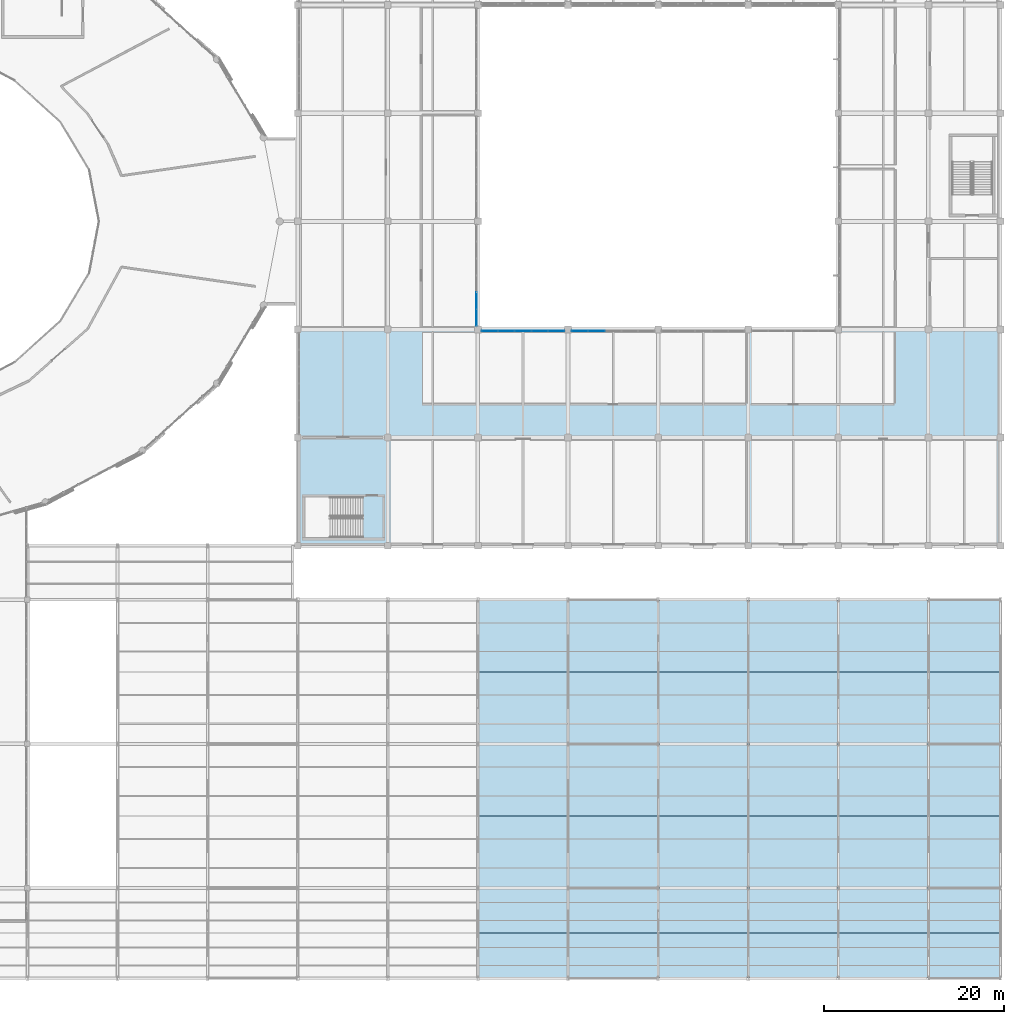
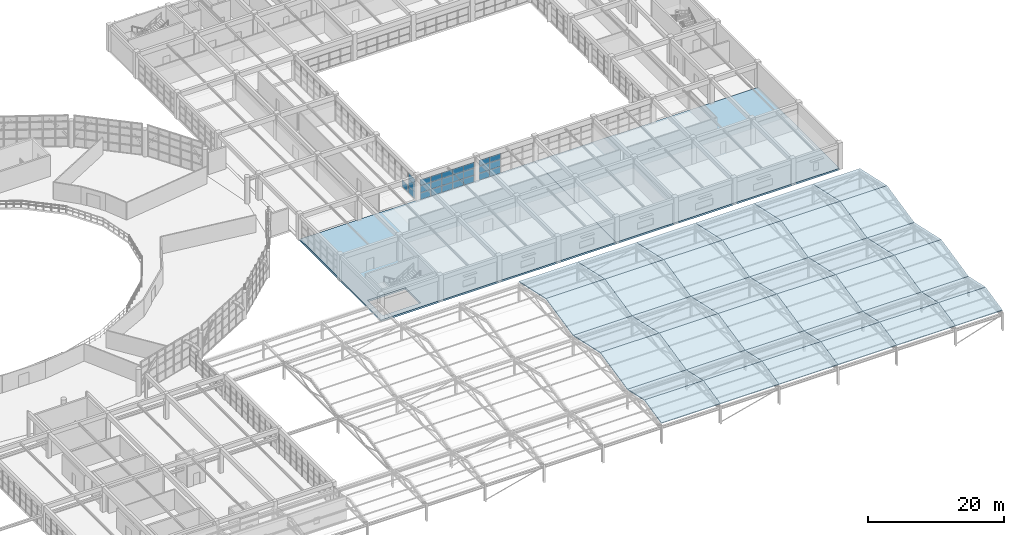
# One storey, part 74 of 109: 38 slabs, 25 plates, 4 elements without a shape of their own.
"""IFC4 building model written with IfcOpenShell, lengths in metres."""

from ifc_helpers import new_model, si_unit, direction, frame, origin, origin_2d, place, context, subcontext, project, spatial, polyline, rectangle, outline, extrude, material, layer, layer_set, type_object, element, aggregate, save


model = new_model("IFC4")

# Units and contexts
model_context = context("Model", 3, precision=1e-05, world=origin(), true_north=direction((0.0, 1.0)))
body_context = subcontext(model_context, "Body", "Model", "MODEL_VIEW")
ifc_project = project(units=[si_unit("LENGTHUNIT", "METRE"), si_unit("AREAUNIT", "SQUARE_METRE"), si_unit("VOLUMEUNIT", "CUBIC_METRE"), si_unit("PLANEANGLEUNIT", "RADIAN"), si_unit("MASSUNIT", "GRAM", prefix="KILO")], contexts=[model_context])

# Site, building, storey
site_placement = place(None, origin())
site = spatial("IfcSite", under=ifc_project, at=site_placement, CompositionType="ELEMENT")
building_placement = place(site_placement, origin())
building = spatial("IfcBuilding", under=site, at=building_placement, Name="Kivolera Central Railway Station", CompositionType="ELEMENT")
storey_placement = place(building_placement, frame((0.0, 0.0, 9.60009765625)))
storey = spatial("IfcBuildingStorey", under=building, at=storey_placement, Name="L02", CompositionType="ELEMENT", Elevation=9.60009765625)

# Curtain wall, plates
ifc_material_1 = material(Name="Anodised aluminium", Category="aluminium")
ifc_layer_1 = layer(ifc_material_1, 0.179931640625, Name="Anodised aluminium")
ifc_layer_set_1 = layer_set([ifc_layer_1], Name="Anodised aluminium")
curtain_wall_type_1 = type_object("IfcCurtainWallType", Name="CW-SYS-28", PredefinedType="NOTDEFINED", material=ifc_layer_set_1)
curtain_wall_1_placement = place(storey_placement, origin())
curtain_wall_1 = element("IfcCurtainWall", 1, at=curtain_wall_1_placement, inside=storey, type_object=curtain_wall_type_1, Name="L02 Curtain Wall CW-L02-CRTW-G", PredefinedType="NOTDEFINED")
ifc_material_2 = material(Name="Double low-E laminated glass", Category="glass")
ifc_layer_2 = layer(ifc_material_2, 0.02587890625, Name="Double low-E laminated glass")
ifc_layer_set_2 = layer_set([ifc_layer_2], Name="Double low-E laminated glass")
plate_type_1 = type_object("IfcPlateType", Name="CWP-GLZ-1", PredefinedType="CURTAIN_PANEL", material=ifc_layer_set_2)
plate_1_placement = place(storey_placement, frame((137.846923828125, 81.18505859375, 0.0478515625), z_axis=(0.0, 0.0, 1.0), x_axis=(0.0, -1.0, 0.0)))
plate_1 = element("IfcPlate", 2, at=plate_1_placement, type_object=plate_type_1, Name="CW-28 panel 5.1", PredefinedType="CURTAIN_PANEL", context=body_context, shape_type="SweptSolid", body=[
    extrude(rectangle(XDim=1.840576171875, YDim=0.02587890625, at=origin_2d()), origin(), (0.0, 0.0, 1.0), 1.21435546875),
])
plate_2_placement = place(storey_placement, frame((137.846923828125, 79.3232421875, 0.0478515625), z_axis=(0.0, 0.0, 1.0), x_axis=(0.0, -1.0, 0.0)))
plate_2 = element("IfcPlate", 3, at=plate_2_placement, type_object=plate_type_1, Name="CW-28 panel 6.1", PredefinedType="CURTAIN_PANEL", context=body_context, shape_type="SweptSolid", body=[
    extrude(rectangle(XDim=1.810546875, YDim=0.02587890625, at=origin_2d()), origin(), (0.0, 0.0, 1.0), 1.21435546875),
])
plate_3_placement = place(storey_placement, frame((137.846923828125, 79.3232421875, 1.29833984375), z_axis=(0.0, 0.0, 1.0), x_axis=(0.0, -1.0, 0.0)))
plate_3 = element("IfcPlate", 4, at=plate_3_placement, type_object=plate_type_1, Name="CW-28 panel 6.2", PredefinedType="CURTAIN_PANEL", context=body_context, shape_type="SweptSolid", body=[
    extrude(rectangle(XDim=1.810546875, YDim=0.02587890625, at=origin_2d()), origin(), (0.0, 0.0, 1.0), 1.244384765625),
])
plate_4_placement = place(storey_placement, frame((137.846923828125, 79.3232421875, 2.57861328125), z_axis=(0.0, 0.0, 1.0), x_axis=(0.0, -1.0, 0.0)))
plate_4 = element("IfcPlate", 5, at=plate_4_placement, type_object=plate_type_1, Name="CW-28 panel 6.3", PredefinedType="CURTAIN_PANEL", context=body_context, shape_type="SweptSolid", body=[
    extrude(rectangle(XDim=1.810546875, YDim=0.02587890625, at=origin_2d()), origin(), (0.0, 0.0, 1.0), 1.031494140625),
])
aggregate(curtain_wall_1, [plate_1, plate_2, plate_3, plate_4])

ifc_layer_3 = layer(ifc_material_1, 0.179931640625, Name="Anodised aluminium")
ifc_layer_set_3 = layer_set([ifc_layer_3], Name="Anodised aluminium")
curtain_wall_type_2 = type_object("IfcCurtainWallType", Name="CW-SYS-27", PredefinedType="NOTDEFINED", material=ifc_layer_set_3)
curtain_wall_2_placement = place(storey_placement, origin())
curtain_wall_2 = element("IfcCurtainWall", 6, at=curtain_wall_2_placement, inside=storey, type_object=curtain_wall_type_2, Name="L02 Curtain Wall CW-L02-CRTS-138", PredefinedType="NOTDEFINED")
ifc_layer_4 = layer(ifc_material_2, 0.033935546875, Name="Double low-E laminated glass")
ifc_layer_set_4 = layer_set([ifc_layer_4], Name="Double low-E laminated glass")
plate_type_2 = type_object("IfcPlateType", Name="CWP-GLZ-3", PredefinedType="CURTAIN_PANEL", material=ifc_layer_set_4)
plate_5_placement = place(storey_placement, frame((139.31103515625, 77.846923828125, 0.0478515625), z_axis=(0.0, 0.0, 1.0), x_axis=(1.0, 0.0, 0.0)))
plate_5 = element("IfcPlate", 7, at=plate_5_placement, type_object=plate_type_2, Name="CW-27 panel 1.1", PredefinedType="CURTAIN_PANEL", context=body_context, shape_type="SweptSolid", body=[
    extrude(rectangle(XDim=1.785888671875, YDim=0.033935546875, at=origin_2d()), origin(), (0.0, 0.0, 1.0), 1.21435546875),
])
plate_6_placement = place(storey_placement, frame((139.31103515625, 77.846923828125, 1.29833984375), z_axis=(0.0, 0.0, 1.0), x_axis=(1.0, 0.0, 0.0)))
plate_6 = element("IfcPlate", 8, at=plate_6_placement, type_object=plate_type_2, Name="CW-27 panel 1.2", PredefinedType="CURTAIN_PANEL", context=body_context, shape_type="SweptSolid", body=[
    extrude(rectangle(XDim=1.785888671875, YDim=0.033935546875, at=origin_2d()), origin(), (0.0, 0.0, 1.0), 1.244384765625),
])
plate_7_placement = place(storey_placement, frame((139.31103515625, 77.846923828125, 2.57861328125), z_axis=(0.0, 0.0, 1.0), x_axis=(1.0, 0.0, 0.0)))
plate_7 = element("IfcPlate", 9, at=plate_7_placement, type_object=plate_type_2, Name="CW-27 panel 1.3", PredefinedType="CURTAIN_PANEL", context=body_context, shape_type="SweptSolid", body=[
    extrude(rectangle(XDim=1.785888671875, YDim=0.033935546875, at=origin_2d()), origin(), (0.0, 0.0, 1.0), 1.031494140625),
])
plate_8_placement = place(storey_placement, frame((141.14794921875, 77.846923828125, 0.0478515625), z_axis=(0.0, 0.0, 1.0), x_axis=(1.0, 0.0, 0.0)))
plate_8 = element("IfcPlate", 10, at=plate_8_placement, type_object=plate_type_2, Name="CW-27 panel 2.1", PredefinedType="CURTAIN_PANEL", context=body_context, shape_type="SweptSolid", body=[
    extrude(rectangle(XDim=1.81591796875, YDim=0.033935546875, at=origin_2d()), origin(), (0.0, 0.0, 1.0), 1.21435546875),
])
plate_9_placement = place(storey_placement, frame((141.14794921875, 77.846923828125, 1.29833984375), z_axis=(0.0, 0.0, 1.0), x_axis=(1.0, 0.0, 0.0)))
plate_9 = element("IfcPlate", 11, at=plate_9_placement, type_object=plate_type_2, Name="CW-27 panel 2.2", PredefinedType="CURTAIN_PANEL", context=body_context, shape_type="SweptSolid", body=[
    extrude(rectangle(XDim=1.81591796875, YDim=0.033935546875, at=origin_2d()), origin(), (0.0, 0.0, 1.0), 1.244384765625),
])
plate_10_placement = place(storey_placement, frame((141.14794921875, 77.846923828125, 2.57861328125), z_axis=(0.0, 0.0, 1.0), x_axis=(1.0, 0.0, 0.0)))
plate_10 = element("IfcPlate", 12, at=plate_10_placement, type_object=plate_type_2, Name="CW-27 panel 2.3", PredefinedType="CURTAIN_PANEL", context=body_context, shape_type="SweptSolid", body=[
    extrude(rectangle(XDim=1.81591796875, YDim=0.033935546875, at=origin_2d()), origin(), (0.0, 0.0, 1.0), 1.031494140625),
])
plate_11_placement = place(storey_placement, frame((143.0, 77.846923828125, 0.0478515625), z_axis=(0.0, 0.0, 1.0), x_axis=(1.0, 0.0, 0.0)))
plate_11 = element("IfcPlate", 13, at=plate_11_placement, type_object=plate_type_2, Name="CW-27 panel 3.1", PredefinedType="CURTAIN_PANEL", context=body_context, shape_type="SweptSolid", body=[
    extrude(rectangle(XDim=1.81591796875, YDim=0.033935546875, at=origin_2d()), origin(), (0.0, 0.0, 1.0), 1.21435546875),
])
plate_12_placement = place(storey_placement, frame((143.0, 77.846923828125, 1.29833984375), z_axis=(0.0, 0.0, 1.0), x_axis=(1.0, 0.0, 0.0)))
plate_12 = element("IfcPlate", 14, at=plate_12_placement, type_object=plate_type_2, Name="CW-27 panel 3.2", PredefinedType="CURTAIN_PANEL", context=body_context, shape_type="SweptSolid", body=[
    extrude(rectangle(XDim=1.81591796875, YDim=0.033935546875, at=origin_2d()), origin(), (0.0, 0.0, 1.0), 1.244384765625),
])
plate_13_placement = place(storey_placement, frame((143.0, 77.846923828125, 2.57861328125), z_axis=(0.0, 0.0, 1.0), x_axis=(1.0, 0.0, 0.0)))
plate_13 = element("IfcPlate", 15, at=plate_13_placement, type_object=plate_type_2, Name="CW-27 panel 3.3", PredefinedType="CURTAIN_PANEL", context=body_context, shape_type="SweptSolid", body=[
    extrude(rectangle(XDim=1.81591796875, YDim=0.033935546875, at=origin_2d()), origin(), (0.0, 0.0, 1.0), 1.031494140625),
])
plate_14_placement = place(storey_placement, frame((144.85205078125, 77.846923828125, 0.0478515625), z_axis=(0.0, 0.0, 1.0), x_axis=(1.0, 0.0, 0.0)))
plate_14 = element("IfcPlate", 16, at=plate_14_placement, type_object=plate_type_2, Name="CW-27 panel 4.1", PredefinedType="CURTAIN_PANEL", context=body_context, shape_type="SweptSolid", body=[
    extrude(rectangle(XDim=1.81591796875, YDim=0.033935546875, at=origin_2d()), origin(), (0.0, 0.0, 1.0), 1.21435546875),
])
plate_15_placement = place(storey_placement, frame((144.85205078125, 77.846923828125, 1.29833984375), z_axis=(0.0, 0.0, 1.0), x_axis=(1.0, 0.0, 0.0)))
plate_15 = element("IfcPlate", 17, at=plate_15_placement, type_object=plate_type_2, Name="CW-27 panel 4.2", PredefinedType="CURTAIN_PANEL", context=body_context, shape_type="SweptSolid", body=[
    extrude(rectangle(XDim=1.81591796875, YDim=0.033935546875, at=origin_2d()), origin(), (0.0, 0.0, 1.0), 1.244384765625),
])
plate_16_placement = place(storey_placement, frame((144.85205078125, 77.846923828125, 2.57861328125), z_axis=(0.0, 0.0, 1.0), x_axis=(1.0, 0.0, 0.0)))
plate_16 = element("IfcPlate", 18, at=plate_16_placement, type_object=plate_type_2, Name="CW-27 panel 4.3", PredefinedType="CURTAIN_PANEL", context=body_context, shape_type="SweptSolid", body=[
    extrude(rectangle(XDim=1.81591796875, YDim=0.033935546875, at=origin_2d()), origin(), (0.0, 0.0, 1.0), 1.031494140625),
])
plate_17_placement = place(storey_placement, frame((146.68896484375, 77.846923828125, 0.0478515625), z_axis=(0.0, 0.0, 1.0), x_axis=(1.0, 0.0, 0.0)))
plate_17 = element("IfcPlate", 19, at=plate_17_placement, type_object=plate_type_2, Name="CW-27 panel 5.1", PredefinedType="CURTAIN_PANEL", context=body_context, shape_type="SweptSolid", body=[
    extrude(rectangle(XDim=1.785888671875, YDim=0.033935546875, at=origin_2d()), origin(), (0.0, 0.0, 1.0), 1.21435546875),
])
plate_18_placement = place(storey_placement, frame((146.68896484375, 77.846923828125, 1.29833984375), z_axis=(0.0, 0.0, 1.0), x_axis=(1.0, 0.0, 0.0)))
plate_18 = element("IfcPlate", 20, at=plate_18_placement, type_object=plate_type_2, Name="CW-27 panel 5.2", PredefinedType="CURTAIN_PANEL", context=body_context, shape_type="SweptSolid", body=[
    extrude(rectangle(XDim=1.785888671875, YDim=0.033935546875, at=origin_2d()), origin(), (0.0, 0.0, 1.0), 1.244384765625),
])
plate_19_placement = place(storey_placement, frame((146.68896484375, 77.846923828125, 2.57861328125), z_axis=(0.0, 0.0, 1.0), x_axis=(1.0, 0.0, 0.0)))
plate_19 = element("IfcPlate", 21, at=plate_19_placement, type_object=plate_type_2, Name="CW-27 panel 5.3", PredefinedType="CURTAIN_PANEL", context=body_context, shape_type="SweptSolid", body=[
    extrude(rectangle(XDim=1.785888671875, YDim=0.033935546875, at=origin_2d()), origin(), (0.0, 0.0, 1.0), 1.031494140625),
])
aggregate(curtain_wall_2, [plate_5, plate_6, plate_7, plate_8, plate_9, plate_10, plate_11, plate_12, plate_13, plate_14, plate_15, plate_16, plate_17, plate_18, plate_19])

curtain_wall_3_placement = place(storey_placement, origin())
curtain_wall_3 = element("IfcCurtainWall", 22, at=curtain_wall_3_placement, inside=storey, type_object=curtain_wall_type_2, Name="L02 Curtain Wall CW-L02-CRTS-148", PredefinedType="NOTDEFINED")
plate_20_placement = place(storey_placement, frame((149.31103515625, 77.846923828125, 0.0478515625), z_axis=(0.0, 0.0, 1.0), x_axis=(1.0, 0.0, 0.0)))
plate_20 = element("IfcPlate", 23, at=plate_20_placement, type_object=plate_type_2, Name="CW-27 panel 1.1", PredefinedType="CURTAIN_PANEL", context=body_context, shape_type="SweptSolid", body=[
    extrude(rectangle(XDim=1.785888671875, YDim=0.033935546875, at=origin_2d()), origin(), (0.0, 0.0, 1.0), 1.21435546875),
])
plate_21_placement = place(storey_placement, frame((149.31103515625, 77.846923828125, 1.29833984375), z_axis=(0.0, 0.0, 1.0), x_axis=(1.0, 0.0, 0.0)))
plate_21 = element("IfcPlate", 24, at=plate_21_placement, type_object=plate_type_2, Name="CW-27 panel 1.2", PredefinedType="CURTAIN_PANEL", context=body_context, shape_type="SweptSolid", body=[
    extrude(rectangle(XDim=1.785888671875, YDim=0.033935546875, at=origin_2d()), origin(), (0.0, 0.0, 1.0), 1.244384765625),
])
plate_22_placement = place(storey_placement, frame((149.31103515625, 77.846923828125, 2.57861328125), z_axis=(0.0, 0.0, 1.0), x_axis=(1.0, 0.0, 0.0)))
plate_22 = element("IfcPlate", 25, at=plate_22_placement, type_object=plate_type_2, Name="CW-27 panel 1.3", PredefinedType="CURTAIN_PANEL", context=body_context, shape_type="SweptSolid", body=[
    extrude(rectangle(XDim=1.785888671875, YDim=0.033935546875, at=origin_2d()), origin(), (0.0, 0.0, 1.0), 1.031494140625),
])
plate_23_placement = place(storey_placement, frame((151.14794921875, 77.846923828125, 0.0478515625), z_axis=(0.0, 0.0, 1.0), x_axis=(1.0, 0.0, 0.0)))
plate_23 = element("IfcPlate", 26, at=plate_23_placement, type_object=plate_type_2, Name="CW-27 panel 2.1", PredefinedType="CURTAIN_PANEL", context=body_context, shape_type="SweptSolid", body=[
    extrude(rectangle(XDim=1.81591796875, YDim=0.033935546875, at=origin_2d()), origin(), (0.0, 0.0, 1.0), 1.21435546875),
])
plate_24_placement = place(storey_placement, frame((151.14794921875, 77.846923828125, 1.29833984375), z_axis=(0.0, 0.0, 1.0), x_axis=(1.0, 0.0, 0.0)))
plate_24 = element("IfcPlate", 27, at=plate_24_placement, type_object=plate_type_2, Name="CW-27 panel 2.2", PredefinedType="CURTAIN_PANEL", context=body_context, shape_type="SweptSolid", body=[
    extrude(rectangle(XDim=1.81591796875, YDim=0.033935546875, at=origin_2d()), origin(), (0.0, 0.0, 1.0), 1.244384765625),
])
plate_25_placement = place(storey_placement, frame((151.14794921875, 77.846923828125, 2.57861328125), z_axis=(0.0, 0.0, 1.0), x_axis=(1.0, 0.0, 0.0)))
plate_25 = element("IfcPlate", 28, at=plate_25_placement, type_object=plate_type_2, Name="CW-27 panel 2.3", PredefinedType="CURTAIN_PANEL", context=body_context, shape_type="SweptSolid", body=[
    extrude(rectangle(XDim=1.81591796875, YDim=0.033935546875, at=origin_2d()), origin(), (0.0, 0.0, 1.0), 1.031494140625),
])
aggregate(curtain_wall_3, [plate_20, plate_21, plate_22, plate_23, plate_24, plate_25])

# Slabs
ifc_material_3 = material(Name="Concrete C40/50", Category="concrete")
ifc_layer_5 = layer(ifc_material_3, 0.320068359375, Name="Concrete C40/50")
ifc_layer_set_5 = layer_set([ifc_layer_5], Name="Concrete C40/50")
slab_type_1 = type_object("IfcSlabType", Name="SLB-FLR-320", PredefinedType="FLOOR", material=ifc_layer_set_5)
slab_1_placement = place(storey_placement, frame((0.0, 0.0, -0.320068359375)))
element("IfcSlab", 29, at=slab_1_placement, inside=storey, type_object=slab_type_1, Name="L02 Wing SOUTH-W Floor Slab", PredefinedType="FLOOR", context=body_context, shape_type="SweptSolid", body=[
    extrude(outline(polyline([(118.0, 54.0), (158.0, 54.0), (158.0, 78.0), (118.0, 78.0), (118.0, 54.0)]), holes=[polyline([(125.239990234375, 59.39990234375), (118.800048828125, 59.39990234375), (118.800048828125, 54.89990234375), (125.239990234375, 54.89990234375), (125.239990234375, 59.39990234375)])]), origin(), (0.0, 0.0, 1.0), 0.320068359375),
])
slab_2_placement = place(storey_placement, frame((0.0, 0.0, -0.320068359375)))
element("IfcSlab", 30, at=slab_2_placement, inside=storey, type_object=slab_type_1, Name="L02 Wing SOUTH-E Floor Slab", PredefinedType="FLOOR", context=body_context, shape_type="SweptSolid", body=[
    extrude(outline(polyline([(158.0, 54.0), (196.0, 54.0), (196.0, 78.0), (158.0, 78.0), (158.0, 54.0)])), origin(), (0.0, 0.0, 1.0), 0.320068359375),
])

# Roof, slabs
ifc_material_4 = material(Name="Steel S355", Category="steel")
roof_type = type_object("IfcRoofType", Name="ROOF-SYS-1", PredefinedType="GABLE_ROOF", material=ifc_material_4)
roof_placement = place(storey_placement, origin())
roof = element("IfcRoof", 31, at=roof_placement, inside=storey, type_object=roof_type, Name="Southern Through-Platform Dual-Pitch Steel Train-Shed Roof", PredefinedType="GABLE_ROOF")
ifc_material_5 = material(Name="Precast concrete C40/50", Category="concrete")
ifc_layer_6 = layer(ifc_material_5, 0.159912109375, Name="Precast concrete C40/50")
ifc_layer_set_6 = layer_set([ifc_layer_6], Name="Precast concrete C40/50")
slab_type_2 = type_object("IfcSlabType", Name="SLB-SHED-160", PredefinedType="ROOF", material=ifc_layer_set_6)
slab_3_placement = place(storey_placement, frame((138.0, 6.0, 3.599853515625), z_axis=(0.0, -0.214879977038, 0.976640463768), x_axis=(1.0, 0.0, 0.0)))
slab_3 = element("IfcSlab", 32, at=slab_3_placement, type_object=slab_type_2, Name="Train Shed Sloped Roof Panel AB-14S", PredefinedType="ROOF", context=body_context, shape_type="SweptSolid", body=[
    extrude(outline(polyline([(0.0, 0.0), (10.0, 0.0), (10.0, 5.119591277952445), (0.0, 5.119591277952445), (0.0, 0.0)])), origin(), (0.0, 0.0, -1.0), 0.159912109375),
])
slab_4_placement = place(storey_placement, frame((138.0, 11.0, 4.699951171875), z_axis=(0.0, 0.214879977038, 0.976640463768), x_axis=(1.0, 0.0, 0.0)))
slab_4 = element("IfcSlab", 33, at=slab_4_placement, type_object=slab_type_2, Name="Train Shed Sloped Roof Panel AB-14N", PredefinedType="ROOF", context=body_context, shape_type="SweptSolid", body=[
    extrude(outline(polyline([(0.0, 0.0), (10.0, 0.0), (10.0, 5.119591277952445), (0.0, 5.119591277952445), (0.0, 0.0)])), origin(), (0.0, 0.0, -1.0), 0.159912109375),
])
slab_5_placement = place(storey_placement, frame((138.0, 16.0, 3.599853515625), z_axis=(0.0, -0.214862919829, 0.97664421653), x_axis=(1.0, 0.0, 0.0)))
slab_5 = element("IfcSlab", 34, at=slab_5_placement, type_object=slab_type_2, Name="Train Shed Sloped Roof Panel BC-14S", PredefinedType="ROOF", context=body_context, shape_type="SweptSolid", body=[
    extrude(outline(polyline([(0.0, 0.0), (10.0, 0.0), (10.0, 8.19131456941408), (0.0, 8.19131456941408), (0.0, 0.0)])), origin(), (0.0, 0.0, -1.0), 0.159912109375),
])
slab_6_placement = place(storey_placement, frame((138.0, 24.0, 5.35986328125), z_axis=(0.0, 0.214862919829, 0.97664421653), x_axis=(1.0, 0.0, 0.0)))
slab_6 = element("IfcSlab", 35, at=slab_6_placement, type_object=slab_type_2, Name="Train Shed Sloped Roof Panel BC-14N", PredefinedType="ROOF", context=body_context, shape_type="SweptSolid", body=[
    extrude(outline(polyline([(0.0, 0.0), (10.0, 0.0), (10.0, 8.19131456941408), (0.0, 8.19131456941408), (0.0, 0.0)])), origin(), (0.0, 0.0, -1.0), 0.159912109375),
])
slab_7_placement = place(storey_placement, frame((138.0, 32.0, 3.599853515625), z_axis=(0.0, -0.214862919829, 0.97664421653), x_axis=(1.0, 0.0, 0.0)))
slab_7 = element("IfcSlab", 36, at=slab_7_placement, type_object=slab_type_2, Name="Train Shed Sloped Roof Panel CD-14S", PredefinedType="ROOF", context=body_context, shape_type="SweptSolid", body=[
    extrude(outline(polyline([(0.0, 0.0), (10.0, 0.0), (10.0, 8.19131456941408), (0.0, 8.19131456941408), (0.0, 0.0)])), origin(), (0.0, 0.0, -1.0), 0.159912109375),
])
slab_8_placement = place(storey_placement, frame((138.0, 40.0, 5.35986328125), z_axis=(0.0, 0.214862919829, 0.97664421653), x_axis=(1.0, 0.0, 0.0)))
slab_8 = element("IfcSlab", 37, at=slab_8_placement, type_object=slab_type_2, Name="Train Shed Sloped Roof Panel CD-14N", PredefinedType="ROOF", context=body_context, shape_type="SweptSolid", body=[
    extrude(outline(polyline([(0.0, 0.0), (10.0, 0.0), (10.0, 8.19131456941408), (0.0, 8.19131456941408), (0.0, 0.0)])), origin(), (0.0, 0.0, -1.0), 0.159912109375),
])
slab_9_placement = place(storey_placement, frame((148.0, 6.0, 3.599853515625), z_axis=(0.0, -0.214879977038, 0.976640463768), x_axis=(1.0, 0.0, 0.0)))
slab_9 = element("IfcSlab", 38, at=slab_9_placement, type_object=slab_type_2, Name="Train Shed Sloped Roof Panel AB-15S", PredefinedType="ROOF", context=body_context, shape_type="SweptSolid", body=[
    extrude(outline(polyline([(0.0, 0.0), (10.0, 0.0), (10.0, 5.119591277952445), (0.0, 5.119591277952445), (0.0, 0.0)])), origin(), (0.0, 0.0, -1.0), 0.159912109375),
])
slab_10_placement = place(storey_placement, frame((148.0, 11.0, 4.699951171875), z_axis=(0.0, 0.214879977038, 0.976640463768), x_axis=(1.0, 0.0, 0.0)))
slab_10 = element("IfcSlab", 39, at=slab_10_placement, type_object=slab_type_2, Name="Train Shed Sloped Roof Panel AB-15N", PredefinedType="ROOF", context=body_context, shape_type="SweptSolid", body=[
    extrude(outline(polyline([(0.0, 0.0), (10.0, 0.0), (10.0, 5.119591277952445), (0.0, 5.119591277952445), (0.0, 0.0)])), origin(), (0.0, 0.0, -1.0), 0.159912109375),
])
slab_11_placement = place(storey_placement, frame((148.0, 16.0, 3.599853515625), z_axis=(0.0, -0.214862919829, 0.97664421653), x_axis=(1.0, 0.0, 0.0)))
slab_11 = element("IfcSlab", 40, at=slab_11_placement, type_object=slab_type_2, Name="Train Shed Sloped Roof Panel BC-15S", PredefinedType="ROOF", context=body_context, shape_type="SweptSolid", body=[
    extrude(outline(polyline([(0.0, 0.0), (10.0, 0.0), (10.0, 8.19131456941408), (0.0, 8.19131456941408), (0.0, 0.0)])), origin(), (0.0, 0.0, -1.0), 0.159912109375),
])
slab_12_placement = place(storey_placement, frame((148.0, 24.0, 5.35986328125), z_axis=(0.0, 0.214862919829, 0.97664421653), x_axis=(1.0, 0.0, 0.0)))
slab_12 = element("IfcSlab", 41, at=slab_12_placement, type_object=slab_type_2, Name="Train Shed Sloped Roof Panel BC-15N", PredefinedType="ROOF", context=body_context, shape_type="SweptSolid", body=[
    extrude(outline(polyline([(0.0, 0.0), (10.0, 0.0), (10.0, 8.19131456941408), (0.0, 8.19131456941408), (0.0, 0.0)])), origin(), (0.0, 0.0, -1.0), 0.159912109375),
])
slab_13_placement = place(storey_placement, frame((148.0, 32.0, 3.599853515625), z_axis=(0.0, -0.214862919829, 0.97664421653), x_axis=(1.0, 0.0, 0.0)))
slab_13 = element("IfcSlab", 42, at=slab_13_placement, type_object=slab_type_2, Name="Train Shed Sloped Roof Panel CD-15S", PredefinedType="ROOF", context=body_context, shape_type="SweptSolid", body=[
    extrude(outline(polyline([(0.0, 0.0), (10.0, 0.0), (10.0, 8.19131456941408), (0.0, 8.19131456941408), (0.0, 0.0)])), origin(), (0.0, 0.0, -1.0), 0.159912109375),
])
slab_14_placement = place(storey_placement, frame((148.0, 40.0, 5.35986328125), z_axis=(0.0, 0.214862919829, 0.97664421653), x_axis=(1.0, 0.0, 0.0)))
slab_14 = element("IfcSlab", 43, at=slab_14_placement, type_object=slab_type_2, Name="Train Shed Sloped Roof Panel CD-15N", PredefinedType="ROOF", context=body_context, shape_type="SweptSolid", body=[
    extrude(outline(polyline([(0.0, 0.0), (10.0, 0.0), (10.0, 8.19131456941408), (0.0, 8.19131456941408), (0.0, 0.0)])), origin(), (0.0, 0.0, -1.0), 0.159912109375),
])
slab_15_placement = place(storey_placement, frame((158.0, 6.0, 3.599853515625), z_axis=(0.0, -0.214879977038, 0.976640463768), x_axis=(1.0, 0.0, 0.0)))
slab_15 = element("IfcSlab", 44, at=slab_15_placement, type_object=slab_type_2, Name="Train Shed Sloped Roof Panel AB-16S", PredefinedType="ROOF", context=body_context, shape_type="SweptSolid", body=[
    extrude(outline(polyline([(0.0, 0.0), (10.0, 0.0), (10.0, 5.119591277952445), (0.0, 5.119591277952445), (0.0, 0.0)])), origin(), (0.0, 0.0, -1.0), 0.159912109375),
])
slab_16_placement = place(storey_placement, frame((158.0, 11.0, 4.699951171875), z_axis=(0.0, 0.214879977038, 0.976640463768), x_axis=(1.0, 0.0, 0.0)))
slab_16 = element("IfcSlab", 45, at=slab_16_placement, type_object=slab_type_2, Name="Train Shed Sloped Roof Panel AB-16N", PredefinedType="ROOF", context=body_context, shape_type="SweptSolid", body=[
    extrude(outline(polyline([(0.0, 0.0), (10.0, 0.0), (10.0, 5.119591277952445), (0.0, 5.119591277952445), (0.0, 0.0)])), origin(), (0.0, 0.0, -1.0), 0.159912109375),
])
slab_17_placement = place(storey_placement, frame((158.0, 16.0, 3.599853515625), z_axis=(0.0, -0.214862919829, 0.97664421653), x_axis=(1.0, 0.0, 0.0)))
slab_17 = element("IfcSlab", 46, at=slab_17_placement, type_object=slab_type_2, Name="Train Shed Sloped Roof Panel BC-16S", PredefinedType="ROOF", context=body_context, shape_type="SweptSolid", body=[
    extrude(outline(polyline([(0.0, 0.0), (10.0, 0.0), (10.0, 8.19131456941408), (0.0, 8.19131456941408), (0.0, 0.0)])), origin(), (0.0, 0.0, -1.0), 0.159912109375),
])
slab_18_placement = place(storey_placement, frame((158.0, 24.0, 5.35986328125), z_axis=(0.0, 0.214862919829, 0.97664421653), x_axis=(1.0, 0.0, 0.0)))
slab_18 = element("IfcSlab", 47, at=slab_18_placement, type_object=slab_type_2, Name="Train Shed Sloped Roof Panel BC-16N", PredefinedType="ROOF", context=body_context, shape_type="SweptSolid", body=[
    extrude(outline(polyline([(0.0, 0.0), (10.0, 0.0), (10.0, 8.19131456941408), (0.0, 8.19131456941408), (0.0, 0.0)])), origin(), (0.0, 0.0, -1.0), 0.159912109375),
])
slab_19_placement = place(storey_placement, frame((158.0, 32.0, 3.599853515625), z_axis=(0.0, -0.214862919829, 0.97664421653), x_axis=(1.0, 0.0, 0.0)))
slab_19 = element("IfcSlab", 48, at=slab_19_placement, type_object=slab_type_2, Name="Train Shed Sloped Roof Panel CD-16S", PredefinedType="ROOF", context=body_context, shape_type="SweptSolid", body=[
    extrude(outline(polyline([(0.0, 0.0), (10.0, 0.0), (10.0, 8.19131456941408), (0.0, 8.19131456941408), (0.0, 0.0)])), origin(), (0.0, 0.0, -1.0), 0.159912109375),
])
slab_20_placement = place(storey_placement, frame((158.0, 40.0, 5.35986328125), z_axis=(0.0, 0.214862919829, 0.97664421653), x_axis=(1.0, 0.0, 0.0)))
slab_20 = element("IfcSlab", 49, at=slab_20_placement, type_object=slab_type_2, Name="Train Shed Sloped Roof Panel CD-16N", PredefinedType="ROOF", context=body_context, shape_type="SweptSolid", body=[
    extrude(outline(polyline([(0.0, 0.0), (10.0, 0.0), (10.0, 8.19131456941408), (0.0, 8.19131456941408), (0.0, 0.0)])), origin(), (0.0, 0.0, -1.0), 0.159912109375),
])
slab_21_placement = place(storey_placement, frame((168.0, 6.0, 3.599853515625), z_axis=(0.0, -0.214879977038, 0.976640463768), x_axis=(1.0, 0.0, 0.0)))
slab_21 = element("IfcSlab", 50, at=slab_21_placement, type_object=slab_type_2, Name="Train Shed Sloped Roof Panel AB-17S", PredefinedType="ROOF", context=body_context, shape_type="SweptSolid", body=[
    extrude(outline(polyline([(0.0, 0.0), (10.0, 0.0), (10.0, 5.119591277952445), (0.0, 5.119591277952445), (0.0, 0.0)])), origin(), (0.0, 0.0, -1.0), 0.159912109375),
])
slab_22_placement = place(storey_placement, frame((168.0, 11.0, 4.699951171875), z_axis=(0.0, 0.214879977038, 0.976640463768), x_axis=(1.0, 0.0, 0.0)))
slab_22 = element("IfcSlab", 51, at=slab_22_placement, type_object=slab_type_2, Name="Train Shed Sloped Roof Panel AB-17N", PredefinedType="ROOF", context=body_context, shape_type="SweptSolid", body=[
    extrude(outline(polyline([(0.0, 0.0), (10.0, 0.0), (10.0, 5.119591277952445), (0.0, 5.119591277952445), (0.0, 0.0)])), origin(), (0.0, 0.0, -1.0), 0.159912109375),
])
slab_23_placement = place(storey_placement, frame((168.0, 16.0, 3.599853515625), z_axis=(0.0, -0.214862919829, 0.97664421653), x_axis=(1.0, 0.0, 0.0)))
slab_23 = element("IfcSlab", 52, at=slab_23_placement, type_object=slab_type_2, Name="Train Shed Sloped Roof Panel BC-17S", PredefinedType="ROOF", context=body_context, shape_type="SweptSolid", body=[
    extrude(outline(polyline([(0.0, 0.0), (10.0, 0.0), (10.0, 8.19131456941408), (0.0, 8.19131456941408), (0.0, 0.0)])), origin(), (0.0, 0.0, -1.0), 0.159912109375),
])
slab_24_placement = place(storey_placement, frame((168.0, 24.0, 5.35986328125), z_axis=(0.0, 0.214862919829, 0.97664421653), x_axis=(1.0, 0.0, 0.0)))
slab_24 = element("IfcSlab", 53, at=slab_24_placement, type_object=slab_type_2, Name="Train Shed Sloped Roof Panel BC-17N", PredefinedType="ROOF", context=body_context, shape_type="SweptSolid", body=[
    extrude(outline(polyline([(0.0, 0.0), (10.0, 0.0), (10.0, 8.19131456941408), (0.0, 8.19131456941408), (0.0, 0.0)])), origin(), (0.0, 0.0, -1.0), 0.159912109375),
])
slab_25_placement = place(storey_placement, frame((168.0, 32.0, 3.599853515625), z_axis=(0.0, -0.214862919829, 0.97664421653), x_axis=(1.0, 0.0, 0.0)))
slab_25 = element("IfcSlab", 54, at=slab_25_placement, type_object=slab_type_2, Name="Train Shed Sloped Roof Panel CD-17S", PredefinedType="ROOF", context=body_context, shape_type="SweptSolid", body=[
    extrude(outline(polyline([(0.0, 0.0), (10.0, 0.0), (10.0, 8.19131456941408), (0.0, 8.19131456941408), (0.0, 0.0)])), origin(), (0.0, 0.0, -1.0), 0.159912109375),
])
slab_26_placement = place(storey_placement, frame((168.0, 40.0, 5.35986328125), z_axis=(0.0, 0.214862919829, 0.97664421653), x_axis=(1.0, 0.0, 0.0)))
slab_26 = element("IfcSlab", 55, at=slab_26_placement, type_object=slab_type_2, Name="Train Shed Sloped Roof Panel CD-17N", PredefinedType="ROOF", context=body_context, shape_type="SweptSolid", body=[
    extrude(outline(polyline([(0.0, 0.0), (10.0, 0.0), (10.0, 8.19131456941408), (0.0, 8.19131456941408), (0.0, 0.0)])), origin(), (0.0, 0.0, -1.0), 0.159912109375),
])
slab_27_placement = place(storey_placement, frame((178.0, 6.0, 3.599853515625), z_axis=(0.0, -0.214879977038, 0.976640463768), x_axis=(1.0, 0.0, 0.0)))
slab_27 = element("IfcSlab", 56, at=slab_27_placement, type_object=slab_type_2, Name="Train Shed Sloped Roof Panel AB-18S", PredefinedType="ROOF", context=body_context, shape_type="SweptSolid", body=[
    extrude(outline(polyline([(0.0, 0.0), (10.0, 0.0), (10.0, 5.119591277952445), (0.0, 5.119591277952445), (0.0, 0.0)])), origin(), (0.0, 0.0, -1.0), 0.159912109375),
])
slab_28_placement = place(storey_placement, frame((178.0, 11.0, 4.699951171875), z_axis=(0.0, 0.214879977038, 0.976640463768), x_axis=(1.0, 0.0, 0.0)))
slab_28 = element("IfcSlab", 57, at=slab_28_placement, type_object=slab_type_2, Name="Train Shed Sloped Roof Panel AB-18N", PredefinedType="ROOF", context=body_context, shape_type="SweptSolid", body=[
    extrude(outline(polyline([(0.0, 0.0), (10.0, 0.0), (10.0, 5.119591277952445), (0.0, 5.119591277952445), (0.0, 0.0)])), origin(), (0.0, 0.0, -1.0), 0.159912109375),
])
slab_29_placement = place(storey_placement, frame((178.0, 16.0, 3.599853515625), z_axis=(0.0, -0.214862919829, 0.97664421653), x_axis=(1.0, 0.0, 0.0)))
slab_29 = element("IfcSlab", 58, at=slab_29_placement, type_object=slab_type_2, Name="Train Shed Sloped Roof Panel BC-18S", PredefinedType="ROOF", context=body_context, shape_type="SweptSolid", body=[
    extrude(outline(polyline([(0.0, 0.0), (10.0, 0.0), (10.0, 8.19131456941408), (0.0, 8.19131456941408), (0.0, 0.0)])), origin(), (0.0, 0.0, -1.0), 0.159912109375),
])
slab_30_placement = place(storey_placement, frame((178.0, 24.0, 5.35986328125), z_axis=(0.0, 0.214862919829, 0.97664421653), x_axis=(1.0, 0.0, 0.0)))
slab_30 = element("IfcSlab", 59, at=slab_30_placement, type_object=slab_type_2, Name="Train Shed Sloped Roof Panel BC-18N", PredefinedType="ROOF", context=body_context, shape_type="SweptSolid", body=[
    extrude(outline(polyline([(0.0, 0.0), (10.0, 0.0), (10.0, 8.19131456941408), (0.0, 8.19131456941408), (0.0, 0.0)])), origin(), (0.0, 0.0, -1.0), 0.159912109375),
])
slab_31_placement = place(storey_placement, frame((178.0, 32.0, 3.599853515625), z_axis=(0.0, -0.214862919829, 0.97664421653), x_axis=(1.0, 0.0, 0.0)))
slab_31 = element("IfcSlab", 60, at=slab_31_placement, type_object=slab_type_2, Name="Train Shed Sloped Roof Panel CD-18S", PredefinedType="ROOF", context=body_context, shape_type="SweptSolid", body=[
    extrude(outline(polyline([(0.0, 0.0), (10.0, 0.0), (10.0, 8.19131456941408), (0.0, 8.19131456941408), (0.0, 0.0)])), origin(), (0.0, 0.0, -1.0), 0.159912109375),
])
slab_32_placement = place(storey_placement, frame((178.0, 40.0, 5.35986328125), z_axis=(0.0, 0.214862919829, 0.97664421653), x_axis=(1.0, 0.0, 0.0)))
slab_32 = element("IfcSlab", 61, at=slab_32_placement, type_object=slab_type_2, Name="Train Shed Sloped Roof Panel CD-18N", PredefinedType="ROOF", context=body_context, shape_type="SweptSolid", body=[
    extrude(outline(polyline([(0.0, 0.0), (10.0, 0.0), (10.0, 8.19131456941408), (0.0, 8.19131456941408), (0.0, 0.0)])), origin(), (0.0, 0.0, -1.0), 0.159912109375),
])
slab_33_placement = place(storey_placement, frame((188.0, 6.0, 3.599853515625), z_axis=(0.0, -0.214879977038, 0.976640463768), x_axis=(1.0, 0.0, 0.0)))
slab_33 = element("IfcSlab", 62, at=slab_33_placement, type_object=slab_type_2, Name="Train Shed Sloped Roof Panel AB-19S", PredefinedType="ROOF", context=body_context, shape_type="SweptSolid", body=[
    extrude(outline(polyline([(0.0, 0.0), (8.0, 0.0), (8.0, 5.119591277952445), (0.0, 5.119591277952445), (0.0, 0.0)])), origin(), (0.0, 0.0, -1.0), 0.159912109375),
])
slab_34_placement = place(storey_placement, frame((188.0, 11.0, 4.699951171875), z_axis=(0.0, 0.214879977038, 0.976640463768), x_axis=(1.0, 0.0, 0.0)))
slab_34 = element("IfcSlab", 63, at=slab_34_placement, type_object=slab_type_2, Name="Train Shed Sloped Roof Panel AB-19N", PredefinedType="ROOF", context=body_context, shape_type="SweptSolid", body=[
    extrude(outline(polyline([(0.0, 0.0), (8.0, 0.0), (8.0, 5.119591277952445), (0.0, 5.119591277952445), (0.0, 0.0)])), origin(), (0.0, 0.0, -1.0), 0.159912109375),
])
slab_35_placement = place(storey_placement, frame((188.0, 16.0, 3.599853515625), z_axis=(0.0, -0.214862919829, 0.97664421653), x_axis=(1.0, 0.0, 0.0)))
slab_35 = element("IfcSlab", 64, at=slab_35_placement, type_object=slab_type_2, Name="Train Shed Sloped Roof Panel BC-19S", PredefinedType="ROOF", context=body_context, shape_type="SweptSolid", body=[
    extrude(outline(polyline([(0.0, 0.0), (8.0, 0.0), (8.0, 8.19131456941408), (0.0, 8.19131456941408), (0.0, 0.0)])), origin(), (0.0, 0.0, -1.0), 0.159912109375),
])
slab_36_placement = place(storey_placement, frame((188.0, 24.0, 5.35986328125), z_axis=(0.0, 0.214862919829, 0.97664421653), x_axis=(1.0, 0.0, 0.0)))
slab_36 = element("IfcSlab", 65, at=slab_36_placement, type_object=slab_type_2, Name="Train Shed Sloped Roof Panel BC-19N", PredefinedType="ROOF", context=body_context, shape_type="SweptSolid", body=[
    extrude(outline(polyline([(0.0, 0.0), (8.0, 0.0), (8.0, 8.19131456941408), (0.0, 8.19131456941408), (0.0, 0.0)])), origin(), (0.0, 0.0, -1.0), 0.159912109375),
])
slab_37_placement = place(storey_placement, frame((188.0, 32.0, 3.599853515625), z_axis=(0.0, -0.214862919829, 0.97664421653), x_axis=(1.0, 0.0, 0.0)))
slab_37 = element("IfcSlab", 66, at=slab_37_placement, type_object=slab_type_2, Name="Train Shed Sloped Roof Panel CD-19S", PredefinedType="ROOF", context=body_context, shape_type="SweptSolid", body=[
    extrude(outline(polyline([(0.0, 0.0), (8.0, 0.0), (8.0, 8.19131456941408), (0.0, 8.19131456941408), (0.0, 0.0)])), origin(), (0.0, 0.0, -1.0), 0.159912109375),
])
slab_38_placement = place(storey_placement, frame((188.0, 40.0, 5.35986328125), z_axis=(0.0, 0.214862919829, 0.97664421653), x_axis=(1.0, 0.0, 0.0)))
slab_38 = element("IfcSlab", 67, at=slab_38_placement, type_object=slab_type_2, Name="Train Shed Sloped Roof Panel CD-19N", PredefinedType="ROOF", context=body_context, shape_type="SweptSolid", body=[
    extrude(outline(polyline([(0.0, 0.0), (8.0, 0.0), (8.0, 8.19131456941408), (0.0, 8.19131456941408), (0.0, 0.0)])), origin(), (0.0, 0.0, -1.0), 0.159912109375),
])
aggregate(roof, [slab_3, slab_4, slab_5, slab_6, slab_7, slab_8, slab_9, slab_10, slab_11, slab_12, slab_13, slab_14, slab_15, slab_16, slab_17, slab_18, slab_19, slab_20, slab_21, slab_22, slab_23, slab_24, slab_25, slab_26, slab_27, slab_28, slab_29, slab_30, slab_31, slab_32, slab_33, slab_34, slab_35, slab_36, slab_37, slab_38])

save(model, "model.ifc")
